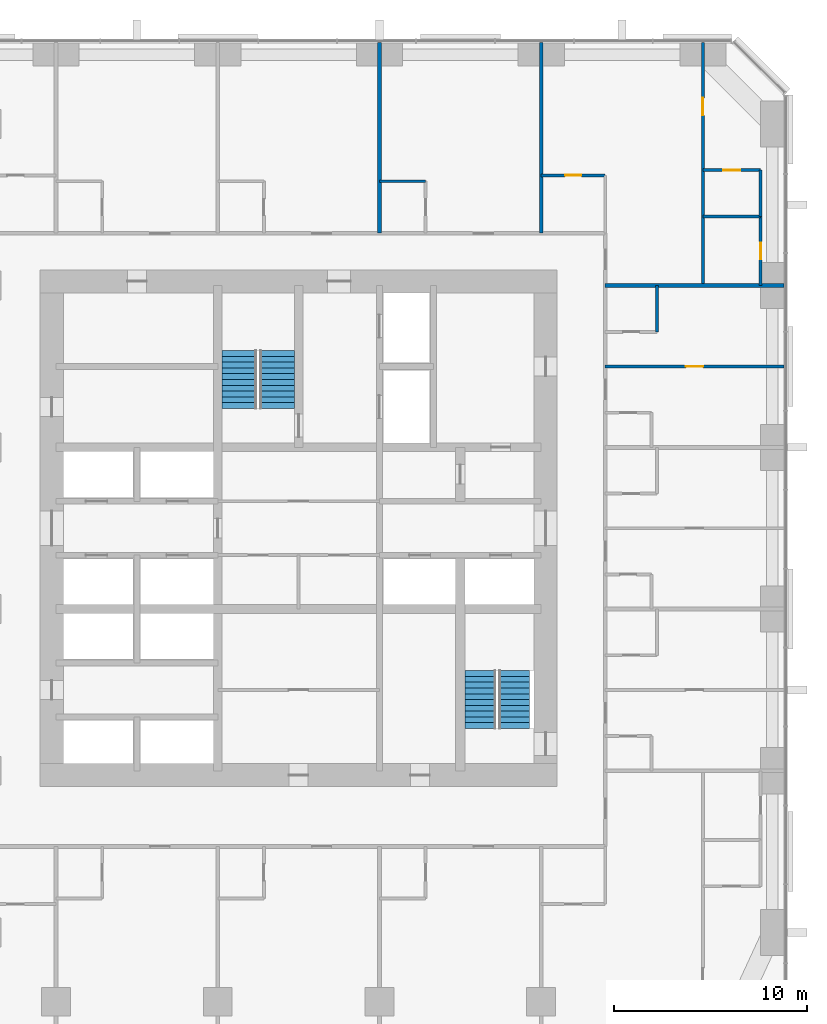
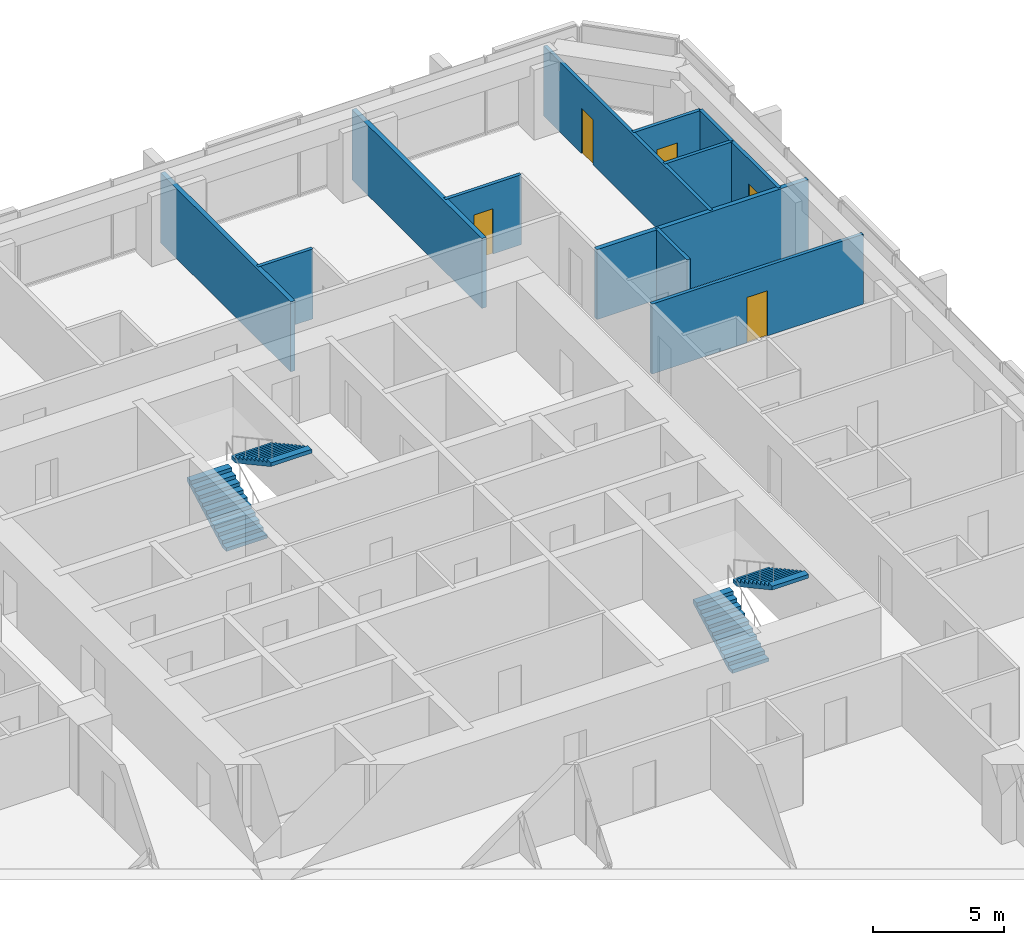
# One storey, part 12 of 13: 12 walls, 5 doors, 4 stair flights, 5 openings, 2 elements without a shape of their own.
"""IFC4 building model written with IfcOpenShell, lengths in metres."""

from ifc_helpers import new_model, si_unit, direction, frame, frame_2d, origin, place, context, subcontext, project, spatial, polyline, rectangle, outline, extrude, material, layer, layer_set, type_object, element, fill, aggregate, save


model = new_model("IFC4")

# Units and contexts
model_context = context("Model", 3, precision=1e-05, world=origin(), true_north=direction((0.0, 1.0)))
body_context = subcontext(model_context, "Body", "Model", "MODEL_VIEW")
ifc_project = project(units=[si_unit("LENGTHUNIT", "METRE"), si_unit("AREAUNIT", "SQUARE_METRE"), si_unit("VOLUMEUNIT", "CUBIC_METRE"), si_unit("PLANEANGLEUNIT", "RADIAN"), si_unit("MASSUNIT", "GRAM", prefix="KILO")], contexts=[model_context])

# Site, building, storey
site_placement = place(None, origin())
site = spatial("IfcSite", under=ifc_project, at=site_placement, CompositionType="ELEMENT")
building_placement = place(site_placement, origin())
building = spatial("IfcBuilding", under=site, at=building_placement, Name="Dunama Terrace Hotel", CompositionType="ELEMENT")
storey_placement = place(building_placement, frame((0.0, 0.0, 111.60009765625)))
storey = spatial("IfcBuildingStorey", under=building, at=storey_placement, Name="L28", CompositionType="ELEMENT", Elevation=111.60009765625)

# Wall
ifc_material_1 = material(Name="Gypsum board partition", Category="masonry")
ifc_layer_1 = layer(ifc_material_1, 0.14990234375)
ifc_layer_set_1 = layer_set([ifc_layer_1], Name="Bathroom partition 150")
wall_type_1 = type_object("IfcWallType", Name="Bathroom partition 150", PredefinedType="PARTITIONING", material=ifc_layer_set_1)
wall_1_placement = place(storey_placement, frame((48.02490234375, 39.60009765625, 0.0), z_axis=(0.0, 0.0, 1.0), x_axis=(0.0, 1.0, 0.0)))
element("IfcWall", 1, at=wall_1_placement, inside=storey, type_object=wall_type_1, Name="Bathroom partition 150 L28", PredefinedType="PARTITIONING", context=body_context, shape_type="SweptSolid", body=[
    extrude(rectangle(XDim=2.39990234375, YDim=0.14990234375, at=frame_2d((1.199951171875, 0.0))), origin(), (0.0, 0.0, 1.0), 3.25),
])

# Wall, opening, door
wall_2_placement = place(storey_placement, frame((53.39990234375, 42.0, 0.0), z_axis=(0.0, 0.0, 1.0), x_axis=(0.0, 1.0, 0.0)))
wall_2 = element("IfcWall", 2, at=wall_2_placement, inside=storey, type_object=wall_type_1, Name="Bathroom partition 150 L28", PredefinedType="PARTITIONING", context=body_context, shape_type="SweptSolid", body=[
    extrude(rectangle(XDim=3.60009765625, YDim=0.14990234375, at=frame_2d((1.800048828125, 0.0))), origin(), (0.0, 0.0, 1.0), 3.25),
])
opening_1_placement = place(wall_2_placement, frame((1.375, 0.0, 0.0)))
opening_1 = element("IfcOpeningElement", 3, at=opening_1_placement, cuts=wall_2, Name="Opening L28-29-054", PredefinedType="OPENING", context=body_context, shape_type="SweptSolid", body=[
    extrude(rectangle(XDim=0.85009765625, YDim=2.10009765625, at=frame_2d((0.425048828125, 1.050048828125))), frame((0.0, 0.0849609375, 0.0), z_axis=(0.0, -1.0, 0.0), x_axis=(1.0, 0.0, 0.0)), (0.0, 0.0, 1.0), 0.169921875),
])
ifc_material_2 = material(Name="Timber door with steel frame", Category="steel")
door_type_1 = type_object("IfcDoorType", Name="Bathroom door 850", OperationType="SINGLE_SWING_LEFT", PredefinedType="DOOR", material=ifc_material_2)
door_1_placement = place(opening_1_placement, origin())
door_1 = element("IfcDoor", 4, at=door_1_placement, inside=storey, type_object=door_type_1, Name="Door to en-suite bathroom L28-29-054, type D2", OperationType="SINGLE_SWING_LEFT", OverallHeight=2.10009765625, OverallWidth=0.85009765625, PredefinedType="DOOR", context=body_context, shape_type="SweptSolid", body=[
    extrude(rectangle(XDim=0.85009765625, YDim=2.10009765625, at=frame_2d((0.425048828125, 1.050048828125))), frame((0.0, 0.02490234375, 0.0), z_axis=(0.0, -1.0, 0.0), x_axis=(1.0, 0.0, 0.0)), (0.0, 0.0, 1.0), 0.050048828125),
])
fill(opening_1, door_1)

# Wall
wall_3_placement = place(storey_placement, frame((33.60009765625, 47.425048828125, 0.0), z_axis=(0.0, 0.0, 1.0), x_axis=(1.0, 0.0, 0.0)))
element("IfcWall", 5, at=wall_3_placement, inside=storey, type_object=wall_type_1, Name="Bathroom partition 150 L28", PredefinedType="PARTITIONING", context=body_context, shape_type="SweptSolid", body=[
    extrude(rectangle(XDim=2.39990234375, YDim=0.14990234375, at=frame_2d((1.199951171875, 0.0))), origin(), (0.0, 0.0, 1.0), 3.25),
])

# Wall, opening, door
wall_4_placement = place(storey_placement, frame((42.0, 47.72509765625, 0.0), z_axis=(0.0, 0.0, 1.0), x_axis=(1.0, 0.0, 0.0)))
wall_4 = element("IfcWall", 6, at=wall_4_placement, inside=storey, type_object=wall_type_1, Name="Bathroom partition 150 L28", PredefinedType="PARTITIONING", context=body_context, shape_type="SweptSolid", body=[
    extrude(rectangle(XDim=3.324951171875, YDim=0.14990234375, at=frame_2d((1.66259765625, 0.0))), origin(), (0.0, 0.0, 1.0), 3.25),
])
opening_2_placement = place(wall_4_placement, frame((1.238037109375, 0.0, 0.0)))
opening_2 = element("IfcOpeningElement", 7, at=opening_2_placement, cuts=wall_4, Name="Opening L28-29-052", PredefinedType="OPENING", context=body_context, shape_type="SweptSolid", body=[
    extrude(rectangle(XDim=0.85009765625, YDim=2.10009765625, at=frame_2d((0.425048828125, 1.050048828125))), frame((0.0, 0.0849609375, 0.0), z_axis=(0.0, -1.0, 0.0), x_axis=(1.0, 0.0, 0.0)), (0.0, 0.0, 1.0), 0.169921875),
])
door_2_placement = place(opening_2_placement, frame((0.85009765625, 0.0, 0.0), z_axis=(0.0, 0.0, 1.0), x_axis=(-1.0, 0.0, 0.0)))
door_2 = element("IfcDoor", 8, at=door_2_placement, inside=storey, type_object=door_type_1, Name="Door to powder room L28-29-052, type D2", OperationType="SINGLE_SWING_RIGHT", OverallHeight=2.10009765625, OverallWidth=0.85009765625, PredefinedType="DOOR", context=body_context, shape_type="SweptSolid", body=[
    extrude(rectangle(XDim=0.85009765625, YDim=2.10009765625, at=frame_2d((0.425048828125, 1.050048828125))), frame((0.0, 0.025146484375, 0.0), z_axis=(0.0, -1.0, 0.0), x_axis=(1.0, 0.0, 0.0)), (0.0, 0.0, 1.0), 0.050048828125),
])
fill(opening_2, door_2)

# Walls
ifc_material_3 = material(Name="Concrete blockwork", Category="masonry")
ifc_layer_2 = layer(ifc_material_3, 0.199951171875)
ifc_layer_set_2 = layer_set([ifc_layer_2], Name="Party wall 200")
wall_type_2 = type_object("IfcWallType", Name="Party wall 200", PredefinedType="PARTITIONING", material=ifc_layer_set_2)
for number, where, z_axis, x_axis, name in (
    (9, (33.60009765625, 44.72509765625, 0.0), (0.0, 0.0, 1.0), (0.0, 1.0, 0.0), "Party wall 200 L28"),
    (10, (42.0, 44.72509765625, 0.0), (0.0, 0.0, 1.0), (0.0, 1.0, 0.0), "Party wall 200 L28"),
):
    element("IfcWall", number, at=place(storey_placement, frame(where, z_axis=z_axis, x_axis=x_axis)), inside=storey, type_object=wall_type_2, Name=name, PredefinedType="PARTITIONING", context=body_context, shape_type="SweptSolid", body=[
        extrude(rectangle(XDim=9.892822265625, YDim=0.199951171875, at=frame_2d((4.9462890625, 0.0))), origin(), (0.0, 0.0, 1.0), 3.25),
    ])
wall_5_placement = place(storey_placement, frame((45.324951171875, 42.0, 0.0), z_axis=(0.0, 0.0, 1.0), x_axis=(1.0, 0.0, 0.0)))
element("IfcWall", 11, at=wall_5_placement, inside=storey, type_object=wall_type_2, Name="Party wall 200 L28", PredefinedType="PARTITIONING", context=body_context, shape_type="SweptSolid", body=[
    extrude(rectangle(XDim=9.29296875, YDim=0.199951171875, at=frame_2d((4.646484375, 0.0))), origin(), (0.0, 0.0, 1.0), 3.25),
])

# Wall, opening, door
ifc_material_4 = material(Name="Gypsum board partition", Category="masonry")
ifc_layer_3 = layer(ifc_material_4, 0.14990234375)
ifc_layer_set_3 = layer_set([ifc_layer_3], Name="Room partition 150")
wall_type_3 = type_object("IfcWallType", Name="Room partition 150", PredefinedType="PARTITIONING", material=ifc_layer_set_3)
wall_6_placement = place(storey_placement, frame((50.39990234375, 42.0, 0.0), z_axis=(0.0, 0.0, 1.0), x_axis=(0.0, 1.0, 0.0)))
wall_6 = element("IfcWall", 12, at=wall_6_placement, inside=storey, type_object=wall_type_3, Name="Room partition 150 L28", PredefinedType="PARTITIONING", context=body_context, shape_type="SweptSolid", body=[
    extrude(rectangle(XDim=12.617919921875, YDim=0.14990234375, at=frame_2d((6.30908203125, 0.0))), origin(), (0.0, 0.0, 1.0), 3.25),
])
opening_3_placement = place(wall_6_placement, frame((8.85009765625, 0.0, 0.0)))
opening_3 = element("IfcOpeningElement", 13, at=opening_3_placement, cuts=wall_6, Name="Opening L28-29-053", PredefinedType="OPENING", context=body_context, shape_type="SweptSolid", body=[
    extrude(rectangle(XDim=0.89990234375, YDim=2.10009765625, at=frame_2d((0.449951171875, 1.050048828125))), frame((0.0, 0.0849609375, 0.0), z_axis=(0.0, -1.0, 0.0), x_axis=(1.0, 0.0, 0.0)), (0.0, 0.0, 1.0), 0.169921875),
])
ifc_material_5 = material(Name="Timber door with steel frame", Category="steel")
door_type_2 = type_object("IfcDoorType", Name="Suite internal door 900", OperationType="SINGLE_SWING_LEFT", PredefinedType="DOOR", material=ifc_material_5)
door_3_placement = place(opening_3_placement, frame((0.89990234375, 0.0, 0.0), z_axis=(0.0, 0.0, 1.0), x_axis=(-1.0, 0.0, 0.0)))
door_3 = element("IfcDoor", 14, at=door_3_placement, inside=storey, type_object=door_type_2, Name="Door to corner suite bedroom L28-29-053, type D16", OperationType="SINGLE_SWING_LEFT", OverallHeight=2.10009765625, OverallWidth=0.89990234375, PredefinedType="DOOR", context=body_context, shape_type="SweptSolid", body=[
    extrude(rectangle(XDim=0.89990234375, YDim=2.10009765625, at=frame_2d((0.449951171875, 1.050048828125))), frame((0.0, 0.025146484375, 0.0), z_axis=(0.0, -1.0, 0.0), x_axis=(1.0, 0.0, 0.0)), (0.0, 0.0, 1.0), 0.050048828125),
])
fill(opening_3, door_3)

# Wall
wall_7_placement = place(storey_placement, frame((53.39990234375, 45.60009765625, 0.0), z_axis=(0.0, 0.0, 1.0), x_axis=(0.0, 1.0, 0.0)))
element("IfcWall", 15, at=wall_7_placement, inside=storey, type_object=wall_type_3, Name="Room partition 150 L28", PredefinedType="PARTITIONING", context=body_context, shape_type="SweptSolid", body=[
    extrude(rectangle(XDim=2.39990234375, YDim=0.14990234375, at=frame_2d((1.199951171875, 0.0))), origin(), (0.0, 0.0, 1.0), 3.25),
])

# Wall, opening, door
wall_8_placement = place(storey_placement, frame((45.324951171875, 37.800048828125, 0.0), z_axis=(0.0, 0.0, 1.0), x_axis=(1.0, 0.0, 0.0)))
wall_8 = element("IfcWall", 16, at=wall_8_placement, inside=storey, type_object=wall_type_3, Name="Room partition 150 L28", PredefinedType="PARTITIONING", context=body_context, shape_type="SweptSolid", body=[
    extrude(rectangle(XDim=9.29296875, YDim=0.14990234375, at=frame_2d((4.646484375, 0.0))), origin(), (0.0, 0.0, 1.0), 3.25),
])
opening_4_placement = place(wall_8_placement, frame((4.18798828125, 0.0, 0.0)))
opening_4 = element("IfcOpeningElement", 17, at=opening_4_placement, cuts=wall_8, Name="Opening L28-29-027", PredefinedType="OPENING", context=body_context, shape_type="SweptSolid", body=[
    extrude(rectangle(XDim=0.89990234375, YDim=2.10009765625, at=frame_2d((0.449951171875, 1.050048828125))), frame((0.0, 0.0849609375, 0.0), z_axis=(0.0, -1.0, 0.0), x_axis=(1.0, 0.0, 0.0)), (0.0, 0.0, 1.0), 0.169921875),
])
door_4_placement = place(opening_4_placement, origin())
door_4 = element("IfcDoor", 18, at=door_4_placement, inside=storey, type_object=door_type_2, Name="Door to premier suite bedroom L28-29-027, type D16", OperationType="SINGLE_SWING_LEFT", OverallHeight=2.10009765625, OverallWidth=0.89990234375, PredefinedType="DOOR", context=body_context, shape_type="SweptSolid", body=[
    extrude(rectangle(XDim=0.89990234375, YDim=2.10009765625, at=frame_2d((0.449951171875, 1.050048828125))), frame((0.0, 0.02490234375, 0.0), z_axis=(0.0, -1.0, 0.0), x_axis=(1.0, 0.0, 0.0)), (0.0, 0.0, 1.0), 0.050048828125),
])
fill(opening_4, door_4)

# Wall
wall_9_placement = place(storey_placement, frame((50.39990234375, 45.60009765625, 0.0), z_axis=(0.0, 0.0, 1.0), x_axis=(1.0, 0.0, 0.0)))
element("IfcWall", 19, at=wall_9_placement, inside=storey, type_object=wall_type_3, Name="Room partition 150 L28", PredefinedType="PARTITIONING", context=body_context, shape_type="SweptSolid", body=[
    extrude(rectangle(XDim=3.0, YDim=0.14990234375, at=frame_2d((1.5, 0.0))), origin(), (0.0, 0.0, 1.0), 3.25),
])

# Wall, opening, door
wall_10_placement = place(storey_placement, frame((50.39990234375, 48.0, 0.0), z_axis=(0.0, 0.0, 1.0), x_axis=(1.0, 0.0, 0.0)))
wall_10 = element("IfcWall", 20, at=wall_10_placement, inside=storey, type_object=wall_type_3, Name="Room partition 150 L28", PredefinedType="PARTITIONING", context=body_context, shape_type="SweptSolid", body=[
    extrude(rectangle(XDim=3.0, YDim=0.14990234375, at=frame_2d((1.5, 0.0))), origin(), (0.0, 0.0, 1.0), 3.25),
])
opening_5_placement = place(wall_10_placement, frame((1.050048828125, 0.0, 0.0)))
opening_5 = element("IfcOpeningElement", 21, at=opening_5_placement, cuts=wall_10, Name="Opening L28-29-055", PredefinedType="OPENING", context=body_context, shape_type="SweptSolid", body=[
    extrude(rectangle(XDim=0.89990234375, YDim=2.10009765625, at=frame_2d((0.449951171875, 1.050048828125))), frame((0.0, 0.0849609375, 0.0), z_axis=(0.0, -1.0, 0.0), x_axis=(1.0, 0.0, 0.0)), (0.0, 0.0, 1.0), 0.169921875),
])
door_5_placement = place(opening_5_placement, frame((0.89990234375, 0.0, 0.0), z_axis=(0.0, 0.0, 1.0), x_axis=(-1.0, 0.0, 0.0)))
door_5 = element("IfcDoor", 22, at=door_5_placement, inside=storey, type_object=door_type_2, Name="Door to dressing room L28-29-055, type D16", OperationType="SINGLE_SWING_RIGHT", OverallHeight=2.10009765625, OverallWidth=0.89990234375, PredefinedType="DOOR", context=body_context, shape_type="SweptSolid", body=[
    extrude(rectangle(XDim=0.89990234375, YDim=2.10009765625, at=frame_2d((0.449951171875, 1.050048828125))), frame((0.0, 0.025146484375, 0.0), z_axis=(0.0, -1.0, 0.0), x_axis=(1.0, 0.0, 0.0)), (0.0, 0.0, 1.0), 0.050048828125),
])
fill(opening_5, door_5)

# Stair, stair flights
ifc_material_6 = material(Name="Concrete C40/50", Category="concrete")
stair_type_1 = type_object("IfcStairType", Name="Stair ST1-3600-1800", PredefinedType="HALF_TURN_STAIR", material=ifc_material_6)
stair_1_placement = place(storey_placement, origin())
stair_1 = element("IfcStair", 23, at=stair_1_placement, inside=storey, type_object=stair_type_1, Name="Stair ST1 L28", PredefinedType="HALF_TURN_STAIR")
ifc_material_7 = material(Name="Concrete C40/50", Category="concrete")
stair_flight_type_1 = type_object("IfcStairFlightType", Name="Stair flight ST1-3600-1800", PredefinedType="STRAIGHT", material=ifc_material_7)
stair_flight_1_placement = place(storey_placement, frame((26.324951171875, 35.625, 0.0), z_axis=(0.0, 0.0, 1.0), x_axis=(0.0, 1.0, 0.0)))
stair_flight_1 = element("IfcStairFlight", 24, at=stair_flight_1_placement, type_object=stair_flight_type_1, Name="ST1 flight 1", NumberOfRisers=11, NumberOfTreads=10, PredefinedType="STRAIGHT", RiserHeight=0.163636364, TreadLength=0.3, context=body_context, shape_type="SweptSolid", body=[
    extrude(outline(polyline([(0.0, 0.0), (0.0, 0.16357421875), (0.300048828125, 0.16357421875), (0.300048828125, 0.327392578125), (0.60009765625, 0.327392578125), (0.60009765625, 0.490966796875), (0.89990234375, 0.490966796875), (0.89990234375, 0.654541015625), (1.199951171875, 0.654541015625), (1.199951171875, 0.818115234375), (1.5, 0.818115234375), (1.5, 0.98193359375), (1.800048828125, 0.98193359375), (1.800048828125, 1.1455078125), (2.10009765625, 1.1455078125), (2.10009765625, 1.30908203125), (2.39990234375, 1.30908203125), (2.39990234375, 1.47265625), (2.699951171875, 1.47265625), (2.699951171875, 1.636474609375), (3.0, 1.636474609375), (3.0, 1.800048828125), (3.0, 1.465576171875), (0.31298828125, 0.0), (0.0, 0.0)])), frame((0.0, 0.89990234375, 0.0), z_axis=(0.0, -1.0, 0.0), x_axis=(1.0, 0.0, 0.0)), (0.0, 0.0, 1.0), 1.800048828125),
])
stair_flight_2_placement = place(storey_placement, frame((28.27490234375, 38.625, 1.7998046875), z_axis=(0.0, 0.0, 1.0), x_axis=(0.0, -1.0, 0.0)))
stair_flight_2 = element("IfcStairFlight", 25, at=stair_flight_2_placement, type_object=stair_flight_type_1, Name="ST1 flight 2", NumberOfRisers=11, NumberOfTreads=10, PredefinedType="STRAIGHT", RiserHeight=0.163636364, TreadLength=0.3, context=body_context, shape_type="SweptSolid", body=[
    extrude(outline(polyline([(0.0, 0.0), (0.0, 0.16357421875), (0.300048828125, 0.16357421875), (0.300048828125, 0.327392578125), (0.60009765625, 0.327392578125), (0.60009765625, 0.490966796875), (0.89990234375, 0.490966796875), (0.89990234375, 0.654541015625), (1.199951171875, 0.654541015625), (1.199951171875, 0.818115234375), (1.5, 0.818115234375), (1.5, 0.98193359375), (1.800048828125, 0.98193359375), (1.800048828125, 1.1455078125), (2.10009765625, 1.1455078125), (2.10009765625, 1.30908203125), (2.39990234375, 1.30908203125), (2.39990234375, 1.47265625), (2.699951171875, 1.47265625), (2.699951171875, 1.636474609375), (3.0, 1.636474609375), (3.0, 1.800048828125), (3.0, 1.465576171875), (0.31298828125, 0.0), (0.0, 0.0)])), frame((0.0, 0.89990234375, 0.0), z_axis=(0.0, -1.0, 0.0), x_axis=(1.0, 0.0, 0.0)), (0.0, 0.0, 1.0), 1.800048828125),
])
aggregate(stair_1, [stair_flight_1, stair_flight_2])

ifc_material_8 = material(Name="Concrete C40/50", Category="concrete")
stair_type_2 = type_object("IfcStairType", Name="Stair ST2-3600-1600", PredefinedType="HALF_TURN_STAIR", material=ifc_material_8)
stair_2_placement = place(storey_placement, origin())
stair_2 = element("IfcStair", 26, at=stair_2_placement, inside=storey, type_object=stair_type_2, Name="Stair ST2 L28", PredefinedType="HALF_TURN_STAIR")
ifc_material_9 = material(Name="Concrete C40/50", Category="concrete")
stair_flight_type_2 = type_object("IfcStairFlightType", Name="Stair flight ST2-3600-1600", PredefinedType="STRAIGHT", material=ifc_material_9)
stair_flight_3_placement = place(storey_placement, frame((38.85009765625, 19.0, 0.0), z_axis=(0.0, 0.0, 1.0), x_axis=(0.0, 1.0, 0.0)))
stair_flight_3 = element("IfcStairFlight", 27, at=stair_flight_3_placement, type_object=stair_flight_type_2, Name="ST2 flight 1", NumberOfRisers=11, NumberOfTreads=10, PredefinedType="STRAIGHT", RiserHeight=0.163636364, TreadLength=0.3, context=body_context, shape_type="SweptSolid", body=[
    extrude(outline(polyline([(0.0, 0.0), (0.0, 0.16357421875), (0.300048828125, 0.16357421875), (0.300048828125, 0.327392578125), (0.60009765625, 0.327392578125), (0.60009765625, 0.490966796875), (0.89990234375, 0.490966796875), (0.89990234375, 0.654541015625), (1.199951171875, 0.654541015625), (1.199951171875, 0.818115234375), (1.5, 0.818115234375), (1.5, 0.98193359375), (1.800048828125, 0.98193359375), (1.800048828125, 1.1455078125), (2.10009765625, 1.1455078125), (2.10009765625, 1.30908203125), (2.39990234375, 1.30908203125), (2.39990234375, 1.47265625), (2.699951171875, 1.47265625), (2.699951171875, 1.636474609375), (3.0, 1.636474609375), (3.0, 1.800048828125), (3.0, 1.465576171875), (0.31298828125, 0.0), (0.0, 0.0)])), frame((0.0, 0.800048828125, 0.0), z_axis=(0.0, -1.0, 0.0), x_axis=(1.0, 0.0, 0.0)), (0.0, 0.0, 1.0), 1.60009765625),
])
stair_flight_4_placement = place(storey_placement, frame((40.60009765625, 22.0, 1.7998046875), z_axis=(0.0, 0.0, 1.0), x_axis=(0.0, -1.0, 0.0)))
stair_flight_4 = element("IfcStairFlight", 28, at=stair_flight_4_placement, type_object=stair_flight_type_2, Name="ST2 flight 2", NumberOfRisers=11, NumberOfTreads=10, PredefinedType="STRAIGHT", RiserHeight=0.163636364, TreadLength=0.3, context=body_context, shape_type="SweptSolid", body=[
    extrude(outline(polyline([(0.0, 0.0), (0.0, 0.16357421875), (0.300048828125, 0.16357421875), (0.300048828125, 0.327392578125), (0.60009765625, 0.327392578125), (0.60009765625, 0.490966796875), (0.89990234375, 0.490966796875), (0.89990234375, 0.654541015625), (1.199951171875, 0.654541015625), (1.199951171875, 0.818115234375), (1.5, 0.818115234375), (1.5, 0.98193359375), (1.800048828125, 0.98193359375), (1.800048828125, 1.1455078125), (2.10009765625, 1.1455078125), (2.10009765625, 1.30908203125), (2.39990234375, 1.30908203125), (2.39990234375, 1.47265625), (2.699951171875, 1.47265625), (2.699951171875, 1.636474609375), (3.0, 1.636474609375), (3.0, 1.800048828125), (3.0, 1.465576171875), (0.31298828125, 0.0), (0.0, 0.0)])), frame((0.0, 0.800048828125, 0.0), z_axis=(0.0, -1.0, 0.0), x_axis=(1.0, 0.0, 0.0)), (0.0, 0.0, 1.0), 1.60009765625),
])
aggregate(stair_2, [stair_flight_3, stair_flight_4])

save(model, "model.ifc")
